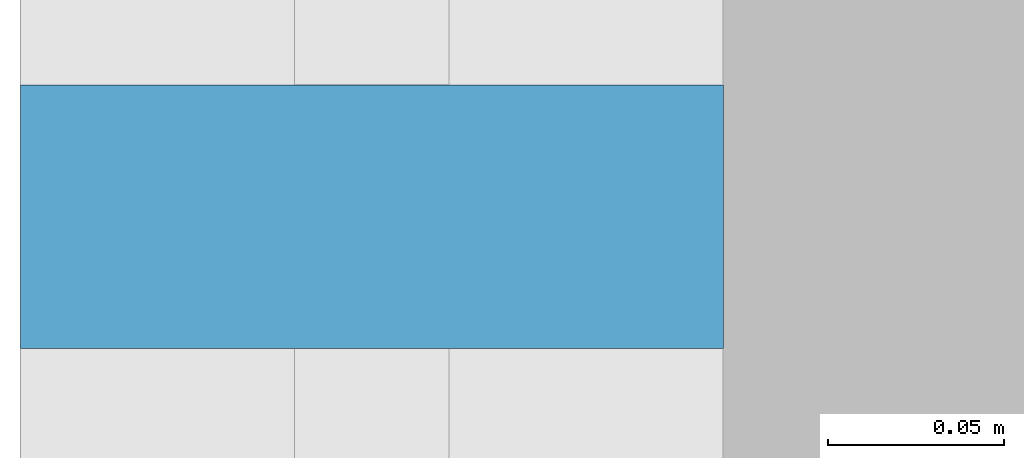
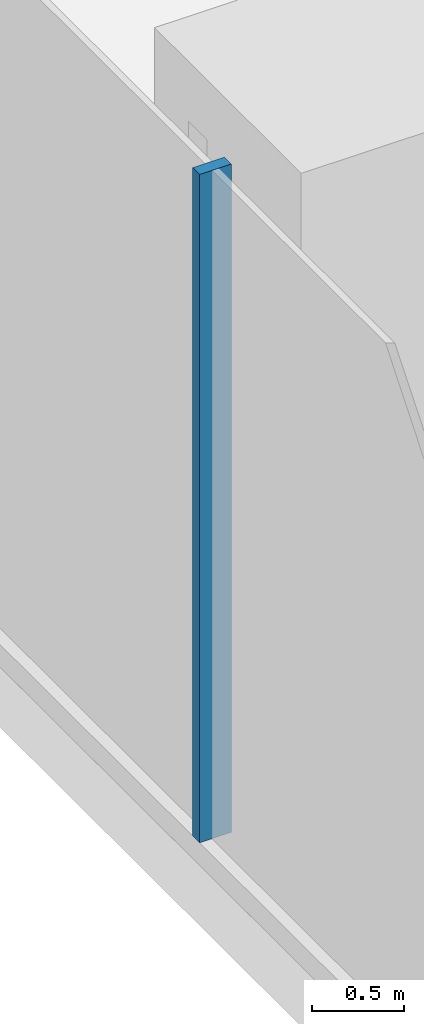
# One storey, part 5 of 30: 1 member, 1 element without a shape of its own.
"""IFC4 building model written with IfcOpenShell, lengths in metres."""

from ifc_helpers import new_model, si_unit, direction, frame, origin, origin_2d, place, context, subcontext, project, spatial, rectangle, extrude, source, transform, mapped, material, material_profile, profile_set, type_object, element, aggregate, save


model = new_model("IFC4")

# Units and contexts
model_context = context("Model", 3, precision=1e-05, world=origin(), true_north=direction((0.0, 1.0)))
body_context = subcontext(model_context, "Body", "Model", "MODEL_VIEW")
ifc_project = project(units=[si_unit("LENGTHUNIT", "METRE"), si_unit("AREAUNIT", "SQUARE_METRE"), si_unit("VOLUMEUNIT", "CUBIC_METRE"), si_unit("PLANEANGLEUNIT", "RADIAN"), si_unit("MASSUNIT", "GRAM", prefix="KILO")], contexts=[model_context])

# Site, building, storey
site_placement = place(None, origin())
site = spatial("IfcSite", under=ifc_project, at=site_placement, CompositionType="ELEMENT")
building_placement = place(site_placement, origin())
building = spatial("IfcBuilding", under=site, at=building_placement, Name="Kemantara Hotel Tower", CompositionType="ELEMENT")
storey_placement = place(building_placement, frame((0.0, 0.0, 13.0)))
storey = spatial("IfcBuildingStorey", under=building, at=storey_placement, Name="L02", CompositionType="ELEMENT", Elevation=13.0)

# Curtain wall, member
ifc_material_1 = material(Name="Laminated tinted insulated glass 44 mm", Category="glass")
curtain_wall_type = type_object("IfcCurtainWallType", Name="PODIUM GLASS CURTAIN WALL", PredefinedType="USERDEFINED", material=ifc_material_1)
curtain_wall_placement = place(storey_placement, origin())
curtain_wall = element("IfcCurtainWall", 1, at=curtain_wall_placement, inside=storey, type_object=curtain_wall_type, Name="CW1 L02 POD-R16-1", ObjectType="PODIUM GLASS CURTAIN WALL", PredefinedType="USERDEFINED")
ifc_material_2 = material(Name="Aluminium 6063-T6 bronze anodised", Category="aluminium")
ifc_material_profile = material_profile(ifc_material_2, rectangle(XDim=0.199951171875, YDim=0.074951171875, at=origin_2d()), Name="PODIUM GLASS CURTAIN WALL MULLION")
ifc_profile_set = profile_set([ifc_material_profile], Name="Aluminium 6063-T6 bronze anodised")
member_type = type_object("IfcMemberType", Name="PODIUM GLASS CURTAIN WALL MULLION", PredefinedType="MULLION", material=ifc_profile_set)
shared_shape = source(origin(), body_context, "Body", "SweptSolid", [
    extrude(rectangle(XDim=0.199951171875, YDim=0.074951171875, at=origin_2d()), origin(), (0.0, 0.0, 1.0), 4.4501953125),
])
member_placement = place(storey_placement, frame((0.10009765625, 36.199951171875, 0.14990234375), z_axis=(0.0, 0.0, 1.0), x_axis=(1.0, 0.0, 0.0)))
member = element("IfcMember", 2, at=member_placement, type_object=member_type, Name="CW1 mullion POD-R16-1.6", PredefinedType="MULLION", context=body_context, shape_type="MappedRepresentation", body=[
    mapped(shared_shape, transform((0.0, 0.0, 0.0))),
])
aggregate(curtain_wall, [member])

save(model, "model.ifc")
